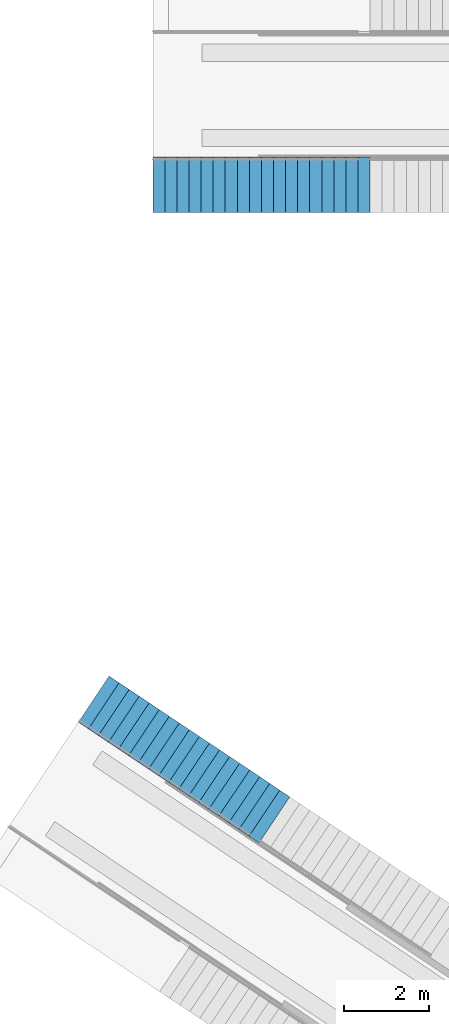
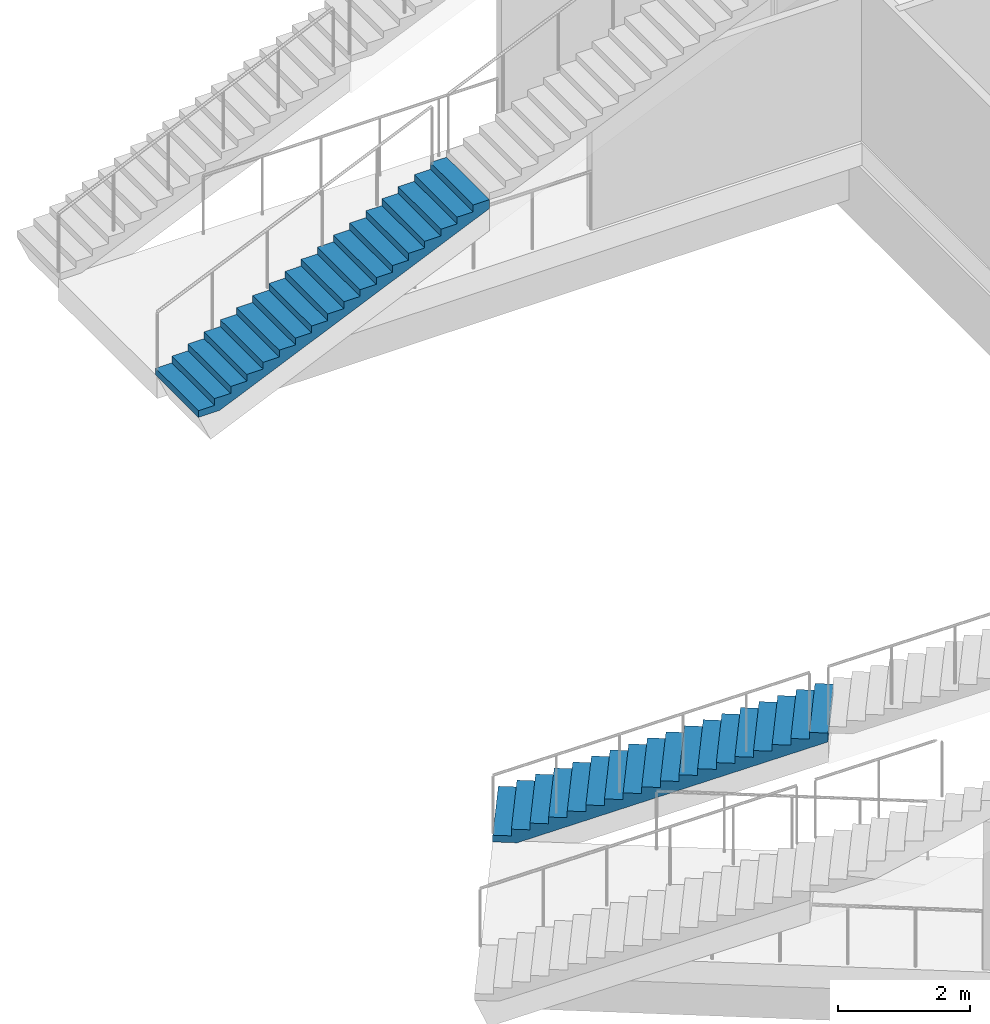
# One storey, part 92 of 175: 2 stair flights, 2 elements without a shape of their own.
"""IFC4 building model written with IfcOpenShell, lengths in metres."""

from ifc_helpers import new_model, si_unit, direction, frame, origin, place, context, subcontext, project, spatial, faceted_brep, material, type_object, element, aggregate, save


model = new_model("IFC4")

# Units and contexts
model_context = context("Model", 3, precision=1e-05, world=origin(), true_north=direction((0.0, 1.0)))
body_context = subcontext(model_context, "Body", "Model", "MODEL_VIEW")
ifc_project = project(units=[si_unit("LENGTHUNIT", "METRE"), si_unit("AREAUNIT", "SQUARE_METRE"), si_unit("VOLUMEUNIT", "CUBIC_METRE"), si_unit("PLANEANGLEUNIT", "RADIAN"), si_unit("MASSUNIT", "GRAM", prefix="KILO")], contexts=[model_context])

# Site, building, storey
site_placement = place(None, origin())
site = spatial("IfcSite", under=ifc_project, at=site_placement, CompositionType="ELEMENT")
building_placement = place(site_placement, origin())
building = spatial("IfcBuilding", under=site, at=building_placement, Name="Ogive Plaza Stadium", CompositionType="ELEMENT")
storey_placement = place(building_placement, origin())
storey = spatial("IfcBuildingStorey", under=building, at=storey_placement, Name="L00", CompositionType="ELEMENT", Elevation=0.0)

# Stair, stair flight
ifc_material_1 = material(Name="Concrete C40/50", Category="concrete")
stair_type = type_object("IfcStairType", Name="Aisle stair", PredefinedType="STRAIGHT_RUN_STAIR", material=ifc_material_1)
stair_1_placement = place(storey_placement, origin())
stair_1 = element("IfcStair", 1, at=stair_1_placement, inside=storey, type_object=stair_type, Name="Aisle stair SA07L", PredefinedType="STRAIGHT_RUN_STAIR")
ifc_material_2 = material(Name="Concrete C40/50", Category="concrete")
stair_flight_type = type_object("IfcStairFlightType", Name="Aisle stair flight", PredefinedType="STRAIGHT", material=ifc_material_2)
stair_flight_1_placement = place(storey_placement, frame((49.14990234375, -47.10009765625, 0.0), z_axis=(0.0, 0.0, 1.0), x_axis=(1.0, 0.0, 0.0)))
stair_flight_1 = element("IfcStairFlight", 2, at=stair_flight_1_placement, type_object=stair_flight_type, Name="SA07L flight 1", NumberOfRisers=18, NumberOfTreads=17, PredefinedType="STRAIGHT", RiserHeight=0.125, TreadLength=0.283333333, context=body_context, shape_type="Brep", body=[
    faceted_brep([(0.371337890625, -0.64990234375, 0.0), (5.10009765625, -0.64990234375, 2.086181640625), (5.10009765625, -0.64990234375, 2.25), (4.816650390625, -0.64990234375, 2.25), (4.816650390625, -0.64990234375, 2.125), (4.533447265625, -0.64990234375, 2.125), (4.533447265625, -0.64990234375, 2.0), (4.25, -0.64990234375, 2.0), (4.25, -0.64990234375, 1.875), (3.966552734375, -0.64990234375, 1.875), (3.966552734375, -0.64990234375, 1.75), (3.683349609375, -0.64990234375, 1.75), (3.683349609375, -0.64990234375, 1.625), (3.39990234375, -0.64990234375, 1.625), (3.39990234375, -0.64990234375, 1.5), (3.11669921875, -0.64990234375, 1.5), (3.11669921875, -0.64990234375, 1.375), (2.833251953125, -0.64990234375, 1.375), (2.833251953125, -0.64990234375, 1.25), (2.550048828125, -0.64990234375, 1.25), (2.550048828125, -0.64990234375, 1.125), (2.2666015625, -0.64990234375, 1.125), (2.2666015625, -0.64990234375, 1.0), (1.9833984375, -0.64990234375, 1.0), (1.9833984375, -0.64990234375, 0.875), (1.699951171875, -0.64990234375, 0.875), (1.699951171875, -0.64990234375, 0.75), (1.416748046875, -0.64990234375, 0.75), (1.416748046875, -0.64990234375, 0.625), (1.13330078125, -0.64990234375, 0.625), (1.13330078125, -0.64990234375, 0.5), (0.85009765625, -0.64990234375, 0.5), (0.85009765625, -0.64990234375, 0.375), (0.566650390625, -0.64990234375, 0.375), (0.566650390625, -0.64990234375, 0.25), (0.283447265625, -0.64990234375, 0.25), (0.283447265625, -0.64990234375, 0.125), (0.0, -0.64990234375, 0.125), (0.0, -0.64990234375, 0.0), (0.0, 0.64990234375, 0.0), (0.0, 0.64990234375, 0.125), (0.283447265625, 0.64990234375, 0.125), (0.283447265625, 0.64990234375, 0.25), (0.566650390625, 0.64990234375, 0.25), (0.566650390625, 0.64990234375, 0.375), (0.85009765625, 0.64990234375, 0.375), (0.85009765625, 0.64990234375, 0.5), (1.13330078125, 0.64990234375, 0.5), (1.13330078125, 0.64990234375, 0.625), (1.416748046875, 0.64990234375, 0.625), (1.416748046875, 0.64990234375, 0.75), (1.699951171875, 0.64990234375, 0.75), (1.699951171875, 0.64990234375, 0.875), (1.9833984375, 0.64990234375, 0.875), (1.9833984375, 0.64990234375, 1.0), (2.2666015625, 0.64990234375, 1.0), (2.2666015625, 0.64990234375, 1.125), (2.550048828125, 0.64990234375, 1.125), (2.550048828125, 0.64990234375, 1.25), (2.833251953125, 0.64990234375, 1.25), (2.833251953125, 0.64990234375, 1.375), (3.11669921875, 0.64990234375, 1.375), (3.11669921875, 0.64990234375, 1.5), (3.39990234375, 0.64990234375, 1.5), (3.39990234375, 0.64990234375, 1.625), (3.683349609375, 0.64990234375, 1.625), (3.683349609375, 0.64990234375, 1.75), (3.966552734375, 0.64990234375, 1.75), (3.966552734375, 0.64990234375, 1.875), (4.25, 0.64990234375, 1.875), (4.25, 0.64990234375, 2.0), (4.533447265625, 0.64990234375, 2.0), (4.533447265625, 0.64990234375, 2.125), (4.816650390625, 0.64990234375, 2.125), (4.816650390625, 0.64990234375, 2.25), (5.10009765625, 0.64990234375, 2.25), (5.10009765625, 0.64990234375, 2.086181640625), (0.371337890625, 0.64990234375, 0.0), (0.371337890625, -0.324951171875, 0.0), (5.10009765625, -0.324951171875, 2.086181640625), (0.371337890625, 0.0, 0.0), (5.10009765625, 0.0, 2.086181640625), (0.371337890625, 0.324951171875, 0.0), (5.10009765625, 0.324951171875, 2.086181640625), (5.10009765625, -0.324951171875, 2.25), (5.10009765625, 0.0, 2.25), (5.10009765625, 0.324951171875, 2.25), (4.816650390625, -0.324951171875, 2.25), (4.816650390625, 0.0, 2.25), (4.816650390625, 0.324951171875, 2.25), (4.816650390625, -0.324951171875, 2.125), (4.816650390625, 0.0, 2.125), (4.816650390625, 0.324951171875, 2.125), (4.533447265625, -0.324951171875, 2.125), (4.533447265625, 0.0, 2.125), (4.533447265625, 0.324951171875, 2.125), (4.533447265625, -0.324951171875, 2.0), (4.533447265625, 0.0, 2.0), (4.533447265625, 0.324951171875, 2.0), (4.25, -0.324951171875, 2.0), (4.25, 0.0, 2.0), (4.25, 0.324951171875, 2.0), (4.25, -0.324951171875, 1.875), (4.25, 0.0, 1.875), (4.25, 0.324951171875, 1.875), (3.966552734375, -0.324951171875, 1.875), (3.966552734375, 0.0, 1.875), (3.966552734375, 0.324951171875, 1.875), (3.966552734375, -0.324951171875, 1.75), (3.966552734375, 0.0, 1.75), (3.966552734375, 0.324951171875, 1.75), (3.683349609375, -0.324951171875, 1.75), (3.683349609375, 0.0, 1.75), (3.683349609375, 0.324951171875, 1.75), (3.683349609375, -0.324951171875, 1.625), (3.683349609375, 0.0, 1.625), (3.683349609375, 0.324951171875, 1.625), (3.39990234375, -0.324951171875, 1.625), (3.39990234375, 0.0, 1.625), (3.39990234375, 0.324951171875, 1.625), (3.39990234375, -0.324951171875, 1.5), (3.39990234375, 0.0, 1.5), (3.39990234375, 0.324951171875, 1.5), (3.11669921875, -0.324951171875, 1.5), (3.11669921875, 0.0, 1.5), (3.11669921875, 0.324951171875, 1.5), (3.11669921875, -0.324951171875, 1.375), (3.11669921875, 0.0, 1.375), (3.11669921875, 0.324951171875, 1.375), (2.833251953125, -0.324951171875, 1.375), (2.833251953125, 0.0, 1.375), (2.833251953125, 0.324951171875, 1.375), (2.833251953125, -0.324951171875, 1.25), (2.833251953125, 0.0, 1.25), (2.833251953125, 0.324951171875, 1.25), (2.550048828125, -0.324951171875, 1.25), (2.550048828125, 0.0, 1.25), (2.550048828125, 0.324951171875, 1.25), (2.550048828125, -0.324951171875, 1.125), (2.550048828125, 0.0, 1.125), (2.550048828125, 0.324951171875, 1.125), (2.2666015625, -0.324951171875, 1.125), (2.2666015625, 0.0, 1.125), (2.2666015625, 0.324951171875, 1.125), (2.2666015625, -0.324951171875, 1.0), (2.2666015625, 0.0, 1.0), (2.2666015625, 0.324951171875, 1.0), (1.9833984375, -0.324951171875, 1.0), (1.9833984375, 0.0, 1.0), (1.9833984375, 0.324951171875, 1.0), (1.9833984375, -0.324951171875, 0.875), (1.9833984375, 0.0, 0.875), (1.9833984375, 0.324951171875, 0.875), (1.699951171875, -0.324951171875, 0.875), (1.699951171875, 0.0, 0.875), (1.699951171875, 0.324951171875, 0.875), (1.699951171875, -0.324951171875, 0.75), (1.699951171875, 0.0, 0.75), (1.699951171875, 0.324951171875, 0.75), (1.416748046875, -0.324951171875, 0.75), (1.416748046875, 0.0, 0.75), (1.416748046875, 0.324951171875, 0.75), (1.416748046875, -0.324951171875, 0.625), (1.416748046875, 0.0, 0.625), (1.416748046875, 0.324951171875, 0.625), (1.13330078125, -0.324951171875, 0.625), (1.13330078125, 0.0, 0.625), (1.13330078125, 0.324951171875, 0.625), (1.13330078125, -0.324951171875, 0.5), (1.13330078125, 0.0, 0.5), (1.13330078125, 0.324951171875, 0.5), (0.85009765625, -0.324951171875, 0.5), (0.85009765625, 0.0, 0.5), (0.85009765625, 0.324951171875, 0.5), (0.85009765625, -0.324951171875, 0.375), (0.85009765625, 0.0, 0.375), (0.85009765625, 0.324951171875, 0.375), (0.566650390625, -0.324951171875, 0.375), (0.566650390625, 0.0, 0.375), (0.566650390625, 0.324951171875, 0.375), (0.566650390625, -0.324951171875, 0.25), (0.566650390625, 0.0, 0.25), (0.566650390625, 0.324951171875, 0.25), (0.283447265625, -0.324951171875, 0.25), (0.283447265625, 0.0, 0.25), (0.283447265625, 0.324951171875, 0.25), (0.283447265625, -0.324951171875, 0.125), (0.283447265625, 0.0, 0.125), (0.283447265625, 0.324951171875, 0.125), (0.0, -0.324951171875, 0.125), (0.0, 0.0, 0.125), (0.0, 0.324951171875, 0.125), (0.0, -0.324951171875, 0.0), (0.0, 0.0, 0.0), (0.0, 0.324951171875, 0.0)], [[[0, 1, 2, 3, 4, 5, 6, 7, 8, 9, 10, 11, 12, 13, 14, 15, 16, 17, 18, 19, 20, 21, 22, 23, 24, 25, 26, 27, 28, 29, 30, 31, 32, 33, 34, 35, 36, 37, 38]], [[39, 40, 41, 42, 43, 44, 45, 46, 47, 48, 49, 50, 51, 52, 53, 54, 55, 56, 57, 58, 59, 60, 61, 62, 63, 64, 65, 66, 67, 68, 69, 70, 71, 72, 73, 74, 75, 76, 77]], [[0, 78, 79, 1]], [[78, 80, 81, 79]], [[80, 82, 83, 81]], [[82, 77, 76, 83]], [[1, 79, 84, 2]], [[79, 81, 85, 84]], [[81, 83, 86, 85]], [[83, 76, 75, 86]], [[2, 84, 87, 3]], [[84, 85, 88, 87]], [[85, 86, 89, 88]], [[86, 75, 74, 89]], [[3, 87, 90, 4]], [[87, 88, 91, 90]], [[88, 89, 92, 91]], [[89, 74, 73, 92]], [[4, 90, 93, 5]], [[90, 91, 94, 93]], [[91, 92, 95, 94]], [[92, 73, 72, 95]], [[5, 93, 96, 6]], [[93, 94, 97, 96]], [[94, 95, 98, 97]], [[95, 72, 71, 98]], [[6, 96, 99, 7]], [[96, 97, 100, 99]], [[97, 98, 101, 100]], [[98, 71, 70, 101]], [[7, 99, 102, 8]], [[99, 100, 103, 102]], [[100, 101, 104, 103]], [[101, 70, 69, 104]], [[8, 102, 105, 9]], [[102, 103, 106, 105]], [[103, 104, 107, 106]], [[104, 69, 68, 107]], [[9, 105, 108, 10]], [[105, 106, 109, 108]], [[106, 107, 110, 109]], [[107, 68, 67, 110]], [[10, 108, 111, 11]], [[108, 109, 112, 111]], [[109, 110, 113, 112]], [[110, 67, 66, 113]], [[11, 111, 114, 12]], [[111, 112, 115, 114]], [[112, 113, 116, 115]], [[113, 66, 65, 116]], [[12, 114, 117, 13]], [[114, 115, 118, 117]], [[115, 116, 119, 118]], [[116, 65, 64, 119]], [[13, 117, 120, 14]], [[117, 118, 121, 120]], [[118, 119, 122, 121]], [[119, 64, 63, 122]], [[14, 120, 123, 15]], [[120, 121, 124, 123]], [[121, 122, 125, 124]], [[122, 63, 62, 125]], [[15, 123, 126, 16]], [[123, 124, 127, 126]], [[124, 125, 128, 127]], [[125, 62, 61, 128]], [[16, 126, 129, 17]], [[126, 127, 130, 129]], [[127, 128, 131, 130]], [[128, 61, 60, 131]], [[17, 129, 132, 18]], [[129, 130, 133, 132]], [[130, 131, 134, 133]], [[131, 60, 59, 134]], [[18, 132, 135, 19]], [[132, 133, 136, 135]], [[133, 134, 137, 136]], [[134, 59, 58, 137]], [[19, 135, 138, 20]], [[135, 136, 139, 138]], [[136, 137, 140, 139]], [[137, 58, 57, 140]], [[20, 138, 141, 21]], [[138, 139, 142, 141]], [[139, 140, 143, 142]], [[140, 57, 56, 143]], [[21, 141, 144, 22]], [[141, 142, 145, 144]], [[142, 143, 146, 145]], [[143, 56, 55, 146]], [[22, 144, 147, 23]], [[144, 145, 148, 147]], [[145, 146, 149, 148]], [[146, 55, 54, 149]], [[23, 147, 150, 24]], [[147, 148, 151, 150]], [[148, 149, 152, 151]], [[149, 54, 53, 152]], [[24, 150, 153, 25]], [[150, 151, 154, 153]], [[151, 152, 155, 154]], [[152, 53, 52, 155]], [[25, 153, 156, 26]], [[153, 154, 157, 156]], [[154, 155, 158, 157]], [[155, 52, 51, 158]], [[26, 156, 159, 27]], [[156, 157, 160, 159]], [[157, 158, 161, 160]], [[158, 51, 50, 161]], [[27, 159, 162, 28]], [[159, 160, 163, 162]], [[160, 161, 164, 163]], [[161, 50, 49, 164]], [[28, 162, 165, 29]], [[162, 163, 166, 165]], [[163, 164, 167, 166]], [[164, 49, 48, 167]], [[29, 165, 168, 30]], [[165, 166, 169, 168]], [[166, 167, 170, 169]], [[167, 48, 47, 170]], [[30, 168, 171, 31]], [[168, 169, 172, 171]], [[169, 170, 173, 172]], [[170, 47, 46, 173]], [[31, 171, 174, 32]], [[171, 172, 175, 174]], [[172, 173, 176, 175]], [[173, 46, 45, 176]], [[32, 174, 177, 33]], [[174, 175, 178, 177]], [[175, 176, 179, 178]], [[176, 45, 44, 179]], [[33, 177, 180, 34]], [[177, 178, 181, 180]], [[178, 179, 182, 181]], [[179, 44, 43, 182]], [[34, 180, 183, 35]], [[180, 181, 184, 183]], [[181, 182, 185, 184]], [[182, 43, 42, 185]], [[35, 183, 186, 36]], [[183, 184, 187, 186]], [[184, 185, 188, 187]], [[185, 42, 41, 188]], [[36, 186, 189, 37]], [[186, 187, 190, 189]], [[187, 188, 191, 190]], [[188, 41, 40, 191]], [[37, 189, 192, 38]], [[189, 190, 193, 192]], [[190, 191, 194, 193]], [[191, 40, 39, 194]], [[38, 192, 78, 0]], [[192, 193, 80, 78]], [[193, 194, 82, 80]], [[194, 39, 77, 82]]]),
])
aggregate(stair_1, [stair_flight_1])

stair_2_placement = place(storey_placement, origin())
stair_2 = element("IfcStair", 3, at=stair_2_placement, inside=storey, type_object=stair_type, Name="Aisle stair SA09R", PredefinedType="STRAIGHT_RUN_STAIR")
stair_flight_2_placement = place(storey_placement, frame((47.763427734375, -59.1708984375, 0.0), z_axis=(0.0, 0.0, 1.0), x_axis=(0.831469612303, -0.55557023302, 0.0)))
stair_flight_2 = element("IfcStairFlight", 4, at=stair_flight_2_placement, type_object=stair_flight_type, Name="SA09R flight 1", NumberOfRisers=18, NumberOfTreads=17, PredefinedType="STRAIGHT", RiserHeight=0.125, TreadLength=0.283333333, context=body_context, shape_type="Brep", body=[
    faceted_brep([(0.371337890625, -0.64990234375, 0.0), (5.10009765625, -0.64990234375, 2.086181640625), (5.10009765625, -0.64990234375, 2.25), (4.816650390625, -0.64990234375, 2.25), (4.816650390625, -0.64990234375, 2.125), (4.533447265625, -0.64990234375, 2.125), (4.533447265625, -0.64990234375, 2.0), (4.25, -0.64990234375, 2.0), (4.25, -0.64990234375, 1.875), (3.966552734375, -0.64990234375, 1.875), (3.966552734375, -0.64990234375, 1.75), (3.683349609375, -0.64990234375, 1.75), (3.683349609375, -0.64990234375, 1.625), (3.39990234375, -0.64990234375, 1.625), (3.39990234375, -0.64990234375, 1.5), (3.11669921875, -0.64990234375, 1.5), (3.11669921875, -0.64990234375, 1.375), (2.833251953125, -0.64990234375, 1.375), (2.833251953125, -0.64990234375, 1.25), (2.550048828125, -0.64990234375, 1.25), (2.550048828125, -0.64990234375, 1.125), (2.2666015625, -0.64990234375, 1.125), (2.2666015625, -0.64990234375, 1.0), (1.9833984375, -0.64990234375, 1.0), (1.9833984375, -0.64990234375, 0.875), (1.699951171875, -0.64990234375, 0.875), (1.699951171875, -0.64990234375, 0.75), (1.416748046875, -0.64990234375, 0.75), (1.416748046875, -0.64990234375, 0.625), (1.13330078125, -0.64990234375, 0.625), (1.13330078125, -0.64990234375, 0.5), (0.85009765625, -0.64990234375, 0.5), (0.85009765625, -0.64990234375, 0.375), (0.566650390625, -0.64990234375, 0.375), (0.566650390625, -0.64990234375, 0.25), (0.283447265625, -0.64990234375, 0.25), (0.283447265625, -0.64990234375, 0.125), (0.0, -0.64990234375, 0.125), (0.0, -0.64990234375, 0.0), (0.0, 0.64990234375, 0.0), (0.0, 0.64990234375, 0.125), (0.283447265625, 0.64990234375, 0.125), (0.283447265625, 0.64990234375, 0.25), (0.566650390625, 0.64990234375, 0.25), (0.566650390625, 0.64990234375, 0.375), (0.85009765625, 0.64990234375, 0.375), (0.85009765625, 0.64990234375, 0.5), (1.13330078125, 0.64990234375, 0.5), (1.13330078125, 0.64990234375, 0.625), (1.416748046875, 0.64990234375, 0.625), (1.416748046875, 0.64990234375, 0.75), (1.699951171875, 0.64990234375, 0.75), (1.699951171875, 0.64990234375, 0.875), (1.9833984375, 0.64990234375, 0.875), (1.9833984375, 0.64990234375, 1.0), (2.2666015625, 0.64990234375, 1.0), (2.2666015625, 0.64990234375, 1.125), (2.550048828125, 0.64990234375, 1.125), (2.550048828125, 0.64990234375, 1.25), (2.833251953125, 0.64990234375, 1.25), (2.833251953125, 0.64990234375, 1.375), (3.11669921875, 0.64990234375, 1.375), (3.11669921875, 0.64990234375, 1.5), (3.39990234375, 0.64990234375, 1.5), (3.39990234375, 0.64990234375, 1.625), (3.683349609375, 0.64990234375, 1.625), (3.683349609375, 0.64990234375, 1.75), (3.966552734375, 0.64990234375, 1.75), (3.966552734375, 0.64990234375, 1.875), (4.25, 0.64990234375, 1.875), (4.25, 0.64990234375, 2.0), (4.533447265625, 0.64990234375, 2.0), (4.533447265625, 0.64990234375, 2.125), (4.816650390625, 0.64990234375, 2.125), (4.816650390625, 0.64990234375, 2.25), (5.10009765625, 0.64990234375, 2.25), (5.10009765625, 0.64990234375, 2.086181640625), (0.371337890625, 0.64990234375, 0.0), (0.371337890625, -0.324951171875, 0.0), (5.10009765625, -0.324951171875, 2.086181640625), (0.371337890625, 0.0, 0.0), (5.10009765625, 0.0, 2.086181640625), (0.371337890625, 0.324951171875, 0.0), (5.10009765625, 0.324951171875, 2.086181640625), (5.10009765625, -0.324951171875, 2.25), (5.10009765625, 0.0, 2.25), (5.10009765625, 0.324951171875, 2.25), (4.816650390625, -0.324951171875, 2.25), (4.816650390625, 0.0, 2.25), (4.816650390625, 0.324951171875, 2.25), (4.816650390625, -0.324951171875, 2.125), (4.816650390625, 0.0, 2.125), (4.816650390625, 0.324951171875, 2.125), (4.533447265625, -0.324951171875, 2.125), (4.533447265625, 0.0, 2.125), (4.533447265625, 0.324951171875, 2.125), (4.533447265625, -0.324951171875, 2.0), (4.533447265625, 0.0, 2.0), (4.533447265625, 0.324951171875, 2.0), (4.25, -0.324951171875, 2.0), (4.25, 0.0, 2.0), (4.25, 0.324951171875, 2.0), (4.25, -0.324951171875, 1.875), (4.25, 0.0, 1.875), (4.25, 0.324951171875, 1.875), (3.966552734375, -0.324951171875, 1.875), (3.966552734375, 0.0, 1.875), (3.966552734375, 0.324951171875, 1.875), (3.966552734375, -0.324951171875, 1.75), (3.966552734375, 0.0, 1.75), (3.966552734375, 0.324951171875, 1.75), (3.683349609375, -0.324951171875, 1.75), (3.683349609375, 0.0, 1.75), (3.683349609375, 0.324951171875, 1.75), (3.683349609375, -0.324951171875, 1.625), (3.683349609375, 0.0, 1.625), (3.683349609375, 0.324951171875, 1.625), (3.39990234375, -0.324951171875, 1.625), (3.39990234375, 0.0, 1.625), (3.39990234375, 0.324951171875, 1.625), (3.39990234375, -0.324951171875, 1.5), (3.39990234375, 0.0, 1.5), (3.39990234375, 0.324951171875, 1.5), (3.11669921875, -0.324951171875, 1.5), (3.11669921875, 0.0, 1.5), (3.11669921875, 0.324951171875, 1.5), (3.11669921875, -0.324951171875, 1.375), (3.11669921875, 0.0, 1.375), (3.11669921875, 0.324951171875, 1.375), (2.833251953125, -0.324951171875, 1.375), (2.833251953125, 0.0, 1.375), (2.833251953125, 0.324951171875, 1.375), (2.833251953125, -0.324951171875, 1.25), (2.833251953125, 0.0, 1.25), (2.833251953125, 0.324951171875, 1.25), (2.550048828125, -0.324951171875, 1.25), (2.550048828125, 0.0, 1.25), (2.550048828125, 0.324951171875, 1.25), (2.550048828125, -0.324951171875, 1.125), (2.550048828125, 0.0, 1.125), (2.550048828125, 0.324951171875, 1.125), (2.2666015625, -0.324951171875, 1.125), (2.2666015625, 0.0, 1.125), (2.2666015625, 0.324951171875, 1.125), (2.2666015625, -0.324951171875, 1.0), (2.2666015625, 0.0, 1.0), (2.2666015625, 0.324951171875, 1.0), (1.9833984375, -0.324951171875, 1.0), (1.9833984375, 0.0, 1.0), (1.9833984375, 0.324951171875, 1.0), (1.9833984375, -0.324951171875, 0.875), (1.9833984375, 0.0, 0.875), (1.9833984375, 0.324951171875, 0.875), (1.699951171875, -0.324951171875, 0.875), (1.699951171875, 0.0, 0.875), (1.699951171875, 0.324951171875, 0.875), (1.699951171875, -0.324951171875, 0.75), (1.699951171875, 0.0, 0.75), (1.699951171875, 0.324951171875, 0.75), (1.416748046875, -0.324951171875, 0.75), (1.416748046875, 0.0, 0.75), (1.416748046875, 0.324951171875, 0.75), (1.416748046875, -0.324951171875, 0.625), (1.416748046875, 0.0, 0.625), (1.416748046875, 0.324951171875, 0.625), (1.13330078125, -0.324951171875, 0.625), (1.13330078125, 0.0, 0.625), (1.13330078125, 0.324951171875, 0.625), (1.13330078125, -0.324951171875, 0.5), (1.13330078125, 0.0, 0.5), (1.13330078125, 0.324951171875, 0.5), (0.85009765625, -0.324951171875, 0.5), (0.85009765625, 0.0, 0.5), (0.85009765625, 0.324951171875, 0.5), (0.85009765625, -0.324951171875, 0.375), (0.85009765625, 0.0, 0.375), (0.85009765625, 0.324951171875, 0.375), (0.566650390625, -0.324951171875, 0.375), (0.566650390625, 0.0, 0.375), (0.566650390625, 0.324951171875, 0.375), (0.566650390625, -0.324951171875, 0.25), (0.566650390625, 0.0, 0.25), (0.566650390625, 0.324951171875, 0.25), (0.283447265625, -0.324951171875, 0.25), (0.283447265625, 0.0, 0.25), (0.283447265625, 0.324951171875, 0.25), (0.283447265625, -0.324951171875, 0.125), (0.283447265625, 0.0, 0.125), (0.283447265625, 0.324951171875, 0.125), (0.0, -0.324951171875, 0.125), (0.0, 0.0, 0.125), (0.0, 0.324951171875, 0.125), (0.0, -0.324951171875, 0.0), (0.0, 0.0, 0.0), (0.0, 0.324951171875, 0.0)], [[[0, 1, 2, 3, 4, 5, 6, 7, 8, 9, 10, 11, 12, 13, 14, 15, 16, 17, 18, 19, 20, 21, 22, 23, 24, 25, 26, 27, 28, 29, 30, 31, 32, 33, 34, 35, 36, 37, 38]], [[39, 40, 41, 42, 43, 44, 45, 46, 47, 48, 49, 50, 51, 52, 53, 54, 55, 56, 57, 58, 59, 60, 61, 62, 63, 64, 65, 66, 67, 68, 69, 70, 71, 72, 73, 74, 75, 76, 77]], [[0, 78, 79, 1]], [[78, 80, 81, 79]], [[80, 82, 83, 81]], [[82, 77, 76, 83]], [[1, 79, 84, 2]], [[79, 81, 85, 84]], [[81, 83, 86, 85]], [[83, 76, 75, 86]], [[2, 84, 87, 3]], [[84, 85, 88, 87]], [[85, 86, 89, 88]], [[86, 75, 74, 89]], [[3, 87, 90, 4]], [[87, 88, 91, 90]], [[88, 89, 92, 91]], [[89, 74, 73, 92]], [[4, 90, 93, 5]], [[90, 91, 94, 93]], [[91, 92, 95, 94]], [[92, 73, 72, 95]], [[5, 93, 96, 6]], [[93, 94, 97, 96]], [[94, 95, 98, 97]], [[95, 72, 71, 98]], [[6, 96, 99, 7]], [[96, 97, 100, 99]], [[97, 98, 101, 100]], [[98, 71, 70, 101]], [[7, 99, 102, 8]], [[99, 100, 103, 102]], [[100, 101, 104, 103]], [[101, 70, 69, 104]], [[8, 102, 105, 9]], [[102, 103, 106, 105]], [[103, 104, 107, 106]], [[104, 69, 68, 107]], [[9, 105, 108, 10]], [[105, 106, 109, 108]], [[106, 107, 110, 109]], [[107, 68, 67, 110]], [[10, 108, 111, 11]], [[108, 109, 112, 111]], [[109, 110, 113, 112]], [[110, 67, 66, 113]], [[11, 111, 114, 12]], [[111, 112, 115, 114]], [[112, 113, 116, 115]], [[113, 66, 65, 116]], [[12, 114, 117, 13]], [[114, 115, 118, 117]], [[115, 116, 119, 118]], [[116, 65, 64, 119]], [[13, 117, 120, 14]], [[117, 118, 121, 120]], [[118, 119, 122, 121]], [[119, 64, 63, 122]], [[14, 120, 123, 15]], [[120, 121, 124, 123]], [[121, 122, 125, 124]], [[122, 63, 62, 125]], [[15, 123, 126, 16]], [[123, 124, 127, 126]], [[124, 125, 128, 127]], [[125, 62, 61, 128]], [[16, 126, 129, 17]], [[126, 127, 130, 129]], [[127, 128, 131, 130]], [[128, 61, 60, 131]], [[17, 129, 132, 18]], [[129, 130, 133, 132]], [[130, 131, 134, 133]], [[131, 60, 59, 134]], [[18, 132, 135, 19]], [[132, 133, 136, 135]], [[133, 134, 137, 136]], [[134, 59, 58, 137]], [[19, 135, 138, 20]], [[135, 136, 139, 138]], [[136, 137, 140, 139]], [[137, 58, 57, 140]], [[20, 138, 141, 21]], [[138, 139, 142, 141]], [[139, 140, 143, 142]], [[140, 57, 56, 143]], [[21, 141, 144, 22]], [[141, 142, 145, 144]], [[142, 143, 146, 145]], [[143, 56, 55, 146]], [[22, 144, 147, 23]], [[144, 145, 148, 147]], [[145, 146, 149, 148]], [[146, 55, 54, 149]], [[23, 147, 150, 24]], [[147, 148, 151, 150]], [[148, 149, 152, 151]], [[149, 54, 53, 152]], [[24, 150, 153, 25]], [[150, 151, 154, 153]], [[151, 152, 155, 154]], [[152, 53, 52, 155]], [[25, 153, 156, 26]], [[153, 154, 157, 156]], [[154, 155, 158, 157]], [[155, 52, 51, 158]], [[26, 156, 159, 27]], [[156, 157, 160, 159]], [[157, 158, 161, 160]], [[158, 51, 50, 161]], [[27, 159, 162, 28]], [[159, 160, 163, 162]], [[160, 161, 164, 163]], [[161, 50, 49, 164]], [[28, 162, 165, 29]], [[162, 163, 166, 165]], [[163, 164, 167, 166]], [[164, 49, 48, 167]], [[29, 165, 168, 30]], [[165, 166, 169, 168]], [[166, 167, 170, 169]], [[167, 48, 47, 170]], [[30, 168, 171, 31]], [[168, 169, 172, 171]], [[169, 170, 173, 172]], [[170, 47, 46, 173]], [[31, 171, 174, 32]], [[171, 172, 175, 174]], [[172, 173, 176, 175]], [[173, 46, 45, 176]], [[32, 174, 177, 33]], [[174, 175, 178, 177]], [[175, 176, 179, 178]], [[176, 45, 44, 179]], [[33, 177, 180, 34]], [[177, 178, 181, 180]], [[178, 179, 182, 181]], [[179, 44, 43, 182]], [[34, 180, 183, 35]], [[180, 181, 184, 183]], [[181, 182, 185, 184]], [[182, 43, 42, 185]], [[35, 183, 186, 36]], [[183, 184, 187, 186]], [[184, 185, 188, 187]], [[185, 42, 41, 188]], [[36, 186, 189, 37]], [[186, 187, 190, 189]], [[187, 188, 191, 190]], [[188, 41, 40, 191]], [[37, 189, 192, 38]], [[189, 190, 193, 192]], [[190, 191, 194, 193]], [[191, 40, 39, 194]], [[38, 192, 78, 0]], [[192, 193, 80, 78]], [[193, 194, 82, 80]], [[194, 39, 77, 82]]]),
])
aggregate(stair_2, [stair_flight_2])

save(model, "model.ifc")
